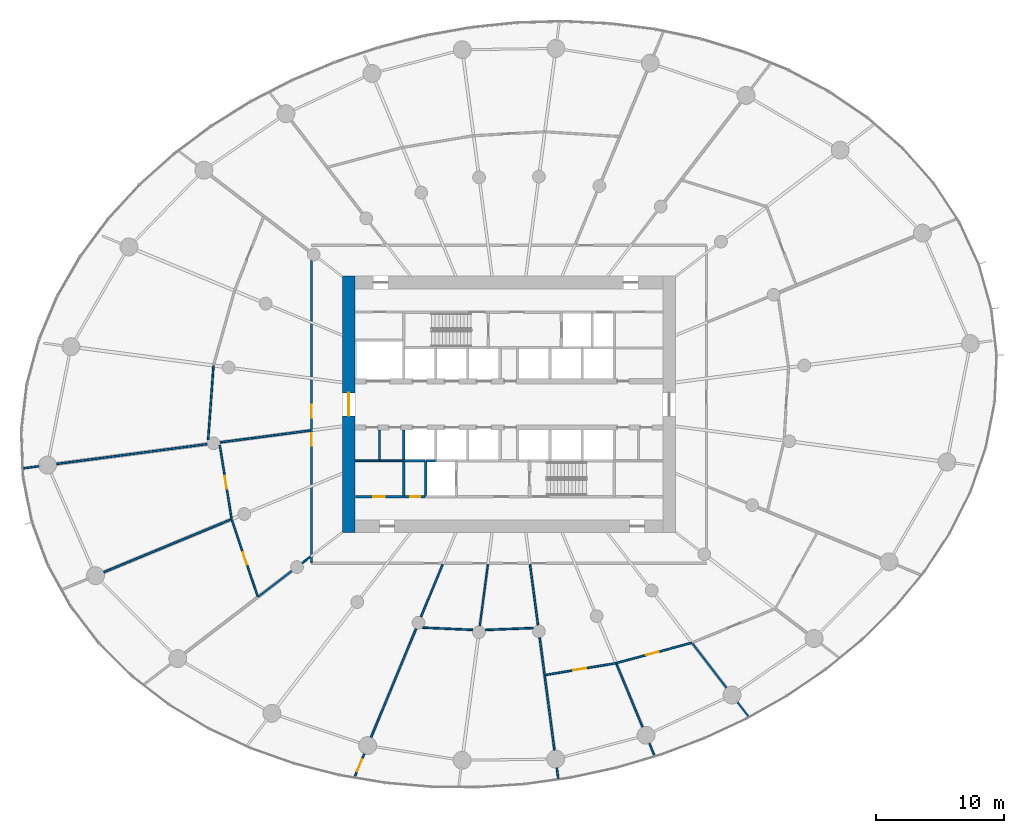
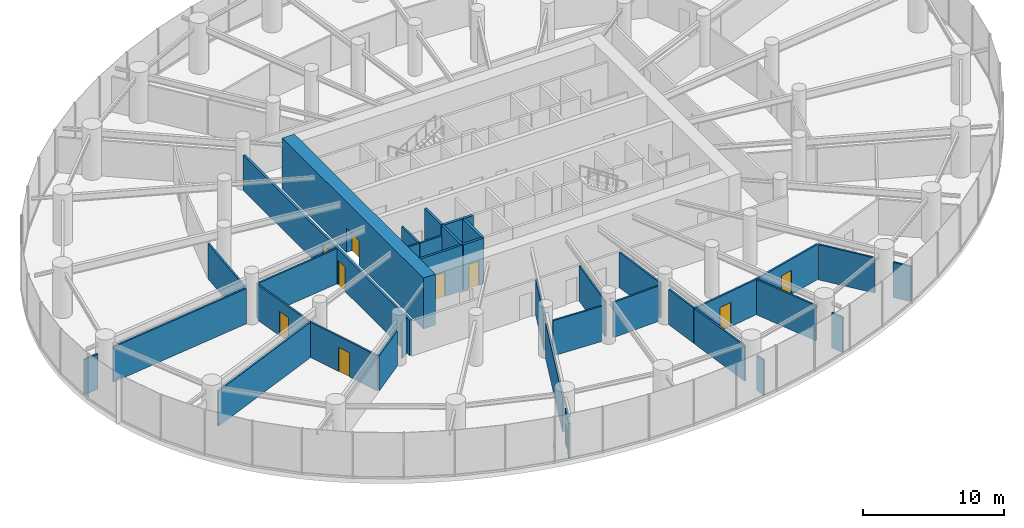
# One storey, part 12 of 19: 37 walls, 10 doors, 10 openings.
"""IFC4 building model written with IfcOpenShell, lengths in metres."""

from ifc_helpers import new_model, si_unit, direction, frame, frame_2d, origin, place, context, subcontext, project, spatial, rectangle, extrude, source, transform, mapped, material, layer, layer_set, type_object, element, fill, save


model = new_model("IFC4")

# Units and contexts
model_context = context("Model", 3, precision=1e-05, world=origin(), true_north=direction((0.0, 1.0)))
body_context = subcontext(model_context, "Body", "Model", "MODEL_VIEW")
ifc_project = project(units=[si_unit("LENGTHUNIT", "METRE"), si_unit("AREAUNIT", "SQUARE_METRE"), si_unit("VOLUMEUNIT", "CUBIC_METRE"), si_unit("PLANEANGLEUNIT", "RADIAN"), si_unit("MASSUNIT", "GRAM", prefix="KILO")], contexts=[model_context])

# Site, building, storey
site_placement = place(None, origin())
site = spatial("IfcSite", under=ifc_project, at=site_placement, CompositionType="ELEMENT")
building_placement = place(site_placement, origin())
building = spatial("IfcBuilding", under=site, at=building_placement, Name="Spindrift Exchange Tower", CompositionType="ELEMENT")
storey_placement = place(building_placement, frame((0.0, 0.0, 57.800048828125)))
storey = spatial("IfcBuildingStorey", under=building, at=storey_placement, Name="L13", CompositionType="ELEMENT", Elevation=57.800048828125)

# Wall, opening, door
ifc_material_1 = material(Name="Concrete 80 MPa", Category="concrete")
ifc_layer_1 = layer(ifc_material_1, 1.0)
ifc_layer_set_1 = layer_set([ifc_layer_1], Name="RC Core Wall 1000 Concrete 80 MPa")
wall_type_1 = type_object("IfcWallType", Name="RC Core Wall 1000 Concrete 80 MPa", PredefinedType="SHEAR", material=ifc_layer_set_1)
wall_1_placement = place(storey_placement, frame((39.5, 58.0, 0.0), z_axis=(0.0, 0.0, 1.0), x_axis=(0.0, -1.0, 0.0)))
wall_1 = element("IfcWall", 1, at=wall_1_placement, inside=storey, type_object=wall_type_1, Name="Core wall W L13", PredefinedType="SHEAR", context=body_context, shape_type="SweptSolid", body=[
    extrude(rectangle(XDim=20.0, YDim=1.0, at=frame_2d((10.0, 0.0))), origin(), (0.0, 0.0, 1.0), 4.39990234375),
])
opening_1_placement = place(wall_1_placement, frame((9.10009765625, 0.0, 0.0)))
opening_1 = element("IfcOpeningElement", 2, at=opening_1_placement, cuts=wall_1, Name="Opening L13-D1", PredefinedType="OPENING", context=body_context, shape_type="SweptSolid", body=[
    extrude(rectangle(XDim=1.800048828125, YDim=2.10009765625, at=frame_2d((0.89990234375, 1.050048828125))), frame((0.0, 0.510009765625, 0.0), z_axis=(0.0, -1.0, 0.0), x_axis=(1.0, 0.0, 0.0)), (0.0, 0.0, 1.0), 1.02001953125),
])
ifc_material_2 = material(Name="Timber-core fire door", Category="wood")
door_type_1 = type_object("IfcDoorType", Name="DR-LOBBY-1800", OperationType="NOTDEFINED", PredefinedType="DOOR", material=ifc_material_2)
shared_shape_1 = source(origin(), body_context, "Body", "SweptSolid", [
    extrude(rectangle(XDim=1.800048828125, YDim=2.10009765625, at=frame_2d((0.89990234375, 1.050048828125))), frame((0.0, 0.02490234375, 0.0), z_axis=(0.0, -1.0, 0.0), x_axis=(1.0, 0.0, 0.0)), (0.0, 0.0, 1.0), 0.050048828125),
])
door_1_placement = place(opening_1_placement, origin())
door_1 = element("IfcDoor", 3, at=door_1_placement, inside=storey, type_object=door_type_1, Name="L13 Lobby door 1", OperationType="SINGLE_SWING_RIGHT", OverallHeight=2.10009765625, OverallWidth=1.800048828125, PredefinedType="DOOR", context=body_context, shape_type="MappedRepresentation", body=[
    mapped(shared_shape_1, transform((0.0, 0.0, 0.0), scale=1.0)),
])
fill(opening_1, door_1)

ifc_material_3 = material(Name="Fire-rated plasterboard partition", Category="gypsum")
ifc_layer_2 = layer(ifc_material_3, 0.179931640625)
ifc_layer_set_2 = layer_set([ifc_layer_2], Name="W-CORR-180")
wall_type_2 = type_object("IfcWallType", Name="W-CORR-180", PredefinedType="PARTITIONING", material=ifc_layer_set_2)
wall_2_placement = place(storey_placement, frame((40.02001953125, 40.800048828125, 0.0), z_axis=(0.0, 0.0, 1.0), x_axis=(1.0, 0.0, 0.0)))
wall_2 = element("IfcWall", 4, at=wall_2_placement, inside=storey, type_object=wall_type_2, Name="L13 Partition wall 61", PredefinedType="PARTITIONING", context=body_context, shape_type="SweptSolid", body=[
    extrude(rectangle(XDim=3.75, YDim=0.179931640625, at=frame_2d((1.875, 0.0))), origin(), (0.0, 0.0, 1.0), 3.949951171875),
])
opening_2_placement = place(wall_2_placement, frame((1.39990234375, 0.0, 0.0)))
opening_2 = element("IfcOpeningElement", 5, at=opening_2_placement, cuts=wall_2, Name="Opening L13-D47", PredefinedType="OPENING", context=body_context, shape_type="SweptSolid", body=[
    extrude(rectangle(XDim=0.89990234375, YDim=2.10009765625, at=frame_2d((0.449951171875, 1.050048828125))), frame((0.0, 0.099853515625, 0.0), z_axis=(0.0, -1.0, 0.0), x_axis=(1.0, 0.0, 0.0)), (0.0, 0.0, 1.0), 0.199951171875),
])
ifc_material_4 = material(Name="Steel access door", Category="steel")
door_type_2 = type_object("IfcDoorType", Name="DR-RISER-900", OperationType="NOTDEFINED", PredefinedType="DOOR", material=ifc_material_4)
shared_shape_2 = source(origin(), body_context, "Body", "SweptSolid", [
    extrude(rectangle(XDim=0.89990234375, YDim=2.10009765625, at=frame_2d((0.449951171875, 1.050048828125))), frame((0.0, 0.02490234375, 0.0), z_axis=(0.0, -1.0, 0.0), x_axis=(1.0, 0.0, 0.0)), (0.0, 0.0, 1.0), 0.050048828125),
])
door_2_placement = place(opening_2_placement, origin())
door_2 = element("IfcDoor", 6, at=door_2_placement, inside=storey, type_object=door_type_2, Name="L13 Riser door 47", OperationType="SINGLE_SWING_RIGHT", OverallHeight=2.10009765625, OverallWidth=0.89990234375, PredefinedType="DOOR", context=body_context, shape_type="MappedRepresentation", body=[
    mapped(shared_shape_2, transform((0.0, 0.0, 0.0), scale=1.0)),
])
fill(opening_2, door_2)

# Walls
ifc_layer_3 = layer(ifc_material_3, 0.139892578125)
ifc_layer_set_3 = layer_set([ifc_layer_3], Name="W-PART-140")
wall_type_3 = type_object("IfcWallType", Name="W-PART-140", PredefinedType="PARTITIONING", material=ifc_layer_set_3)
wall_3_placement = place(storey_placement, frame((28.466064453125, 44.901611328125, 0.0), z_axis=(0.0, 0.0, 1.0), x_axis=(-0.991446586451, -0.130513088287, 0.0)))
element("IfcWall", 7, at=wall_3_placement, inside=storey, type_object=wall_type_3, Name="L13 Partition wall 65", PredefinedType="PARTITIONING", context=body_context, shape_type="SweptSolid", body=[
    extrude(rectangle(XDim=11.85986328125, YDim=0.139892578125, at=frame_2d((5.929931640625, 0.0))), origin(), (0.0, 0.0, 1.0), 3.050048828125),
])
wall_4_placement = place(storey_placement, frame((30.37109375, 39.041015625, 0.0), z_axis=(0.0, 0.0, 1.0), x_axis=(-0.923880877875, -0.382680184353, 0.0)))
element("IfcWall", 8, at=wall_4_placement, inside=storey, type_object=wall_type_3, Name="L13 Partition wall 66", PredefinedType="PARTITIONING", context=body_context, shape_type="SweptSolid", body=[
    extrude(rectangle(XDim=10.7900390625, YDim=0.139892578125, at=frame_2d((5.39501953125, 0.0))), origin(), (0.0, 0.0, 1.0), 3.050048828125),
])
wall_5_placement = place(storey_placement, frame((44.752197265625, 30.502197265625, 0.0), z_axis=(0.0, 0.0, 1.0), x_axis=(-0.382672728165, -0.923883966264, 0.0)))
element("IfcWall", 9, at=wall_5_placement, inside=storey, type_object=wall_type_3, Name="L13 Partition wall 68", PredefinedType="PARTITIONING", context=body_context, shape_type="SweptSolid", body=[
    extrude(rectangle(XDim=9.15966796875, YDim=0.139892578125, at=frame_2d((4.579833984375, 0.0))), origin(), (0.0, 0.0, 1.0), 3.050048828125),
])

# Wall, opening, door
wall_6_placement = place(storey_placement, frame((66.239990234375, 29.396484375, 0.0), z_axis=(0.0, 0.0, 1.0), x_axis=(-0.965712487128, -0.259613929145, 0.0)))
wall_6 = element("IfcWall", 10, at=wall_6_placement, inside=storey, type_object=wall_type_3, Name="L13 Partition wall 78", PredefinedType="PARTITIONING", context=body_context, shape_type="SweptSolid", body=[
    extrude(rectangle(XDim=6.088134765625, YDim=0.139892578125, at=frame_2d((3.0439453125, 0.0))), origin(), (0.0, 0.0, 1.0), 3.050048828125),
])
opening_3_placement = place(wall_6_placement, frame((2.63818359375, 0.0, 0.0)))
opening_3 = element("IfcOpeningElement", 11, at=opening_3_placement, cuts=wall_6, Name="Opening L13-D28", PredefinedType="OPENING", context=body_context, shape_type="SweptSolid", body=[
    extrude(rectangle(XDim=1.0, YDim=2.10009765625, at=frame_2d((0.5, 1.050048828125))), frame((0.0, 0.079833984375, 0.0), z_axis=(0.0, -1.0, 0.0), x_axis=(1.0, 0.0, 0.0)), (0.0, 0.0, 1.0), 0.159912109375),
])
door_type_3 = type_object("IfcDoorType", Name="DR-ROOM-1000", OperationType="NOTDEFINED", PredefinedType="DOOR", material=ifc_material_2)
shared_shape_3 = source(origin(), body_context, "Body", "SweptSolid", [
    extrude(rectangle(XDim=1.0, YDim=2.10009765625, at=frame_2d((0.5, 1.050048828125))), frame((0.0, 0.02490234375, 0.0), z_axis=(0.0, -1.0, 0.0), x_axis=(1.0, 0.0, 0.0)), (0.0, 0.0, 1.0), 0.050048828125),
])
door_3_placement = place(opening_3_placement, origin())
door_3 = element("IfcDoor", 12, at=door_3_placement, inside=storey, type_object=door_type_3, Name="L13 Door 28", OperationType="SINGLE_SWING_LEFT", OverallHeight=2.10009765625, OverallWidth=1.0, PredefinedType="DOOR", context=body_context, shape_type="MappedRepresentation", body=[
    mapped(shared_shape_3, transform((0.0, 0.0, 0.0), scale=1.0)),
])
fill(opening_3, door_3)

# Wall
wall_7_placement = place(storey_placement, frame((54.780029296875, 26.88330078125, 0.0), z_axis=(0.0, 0.0, 1.0), x_axis=(0.130539118961, -0.99144315945, 0.0)))
element("IfcWall", 13, at=wall_7_placement, inside=storey, type_object=wall_type_3, Name="L13 Partition wall 81", PredefinedType="PARTITIONING", context=body_context, shape_type="SweptSolid", body=[
    extrude(rectangle(XDim=5.89697265625, YDim=0.139892578125, at=frame_2d((2.948486328125, 0.0))), origin(), (0.0, 0.0, 1.0), 3.050048828125),
])

# Wall, opening, door
wall_8_placement = place(storey_placement, frame((60.330810546875, 27.81103515625, 0.0), z_axis=(0.0, 0.0, 1.0), x_axis=(-0.986324289368, -0.164816249813, 0.0)))
wall_8 = element("IfcWall", 14, at=wall_8_placement, inside=storey, type_object=wall_type_3, Name="L13 Partition wall 85", PredefinedType="PARTITIONING", context=body_context, shape_type="SweptSolid", body=[
    extrude(rectangle(XDim=5.597900390625, YDim=0.139892578125, at=frame_2d((2.798828125, 0.0))), origin(), (0.0, 0.0, 1.0), 3.050048828125),
])
opening_4_placement = place(wall_8_placement, frame((2.347900390625, 0.0, 0.0)))
opening_4 = element("IfcOpeningElement", 15, at=opening_4_placement, cuts=wall_8, Name="Opening L13-D27", PredefinedType="OPENING", context=body_context, shape_type="SweptSolid", body=[
    extrude(rectangle(XDim=1.0, YDim=2.10009765625, at=frame_2d((0.5, 1.050048828125))), frame((0.0, 0.079833984375, 0.0), z_axis=(0.0, -1.0, 0.0), x_axis=(1.0, 0.0, 0.0)), (0.0, 0.0, 1.0), 0.159912109375),
])
door_4_placement = place(opening_4_placement, origin())
door_4 = element("IfcDoor", 16, at=door_4_placement, inside=storey, type_object=door_type_3, Name="L13 Door 27", OperationType="SINGLE_SWING_RIGHT", OverallHeight=2.10009765625, OverallWidth=1.0, PredefinedType="DOOR", context=body_context, shape_type="MappedRepresentation", body=[
    mapped(shared_shape_3, transform((0.0, 0.0, 0.0), scale=1.0)),
])
fill(opening_4, door_4)

# Walls
wall_9_placement = place(storey_placement, frame((60.387451171875, 27.750732421875, 0.0), z_axis=(0.0, 0.0, 1.0), x_axis=(0.38268597253, -0.923878480337, 0.0)))
element("IfcWall", 17, at=wall_9_placement, inside=storey, type_object=wall_type_3, Name="L13 Partition wall 92", PredefinedType="PARTITIONING", context=body_context, shape_type="SweptSolid", body=[
    extrude(rectangle(XDim=5.312255859375, YDim=0.139892578125, at=frame_2d((2.65625, 0.0))), origin(), (0.0, 0.0, 1.0), 3.050048828125),
])
wall_10_placement = place(storey_placement, frame((53.644287109375, 35.510009765625, 0.0), z_axis=(0.0, 0.0, 1.0), x_axis=(0.130548834981, -0.991441880135, 0.0)))
element("IfcWall", 18, at=wall_10_placement, inside=storey, type_object=wall_type_3, Name="L13 Partition wall 96", PredefinedType="PARTITIONING", context=body_context, shape_type="SweptSolid", body=[
    extrude(rectangle(XDim=4.75390625, YDim=0.139892578125, at=frame_2d((2.376953125, 0.0))), origin(), (0.0, 0.0, 1.0), 3.050048828125),
])
wall_11_placement = place(storey_placement, frame((46.826416015625, 35.510009765625, 0.0), z_axis=(0.0, 0.0, 1.0), x_axis=(-0.382672831764, -0.923883923353, 0.0)))
element("IfcWall", 19, at=wall_11_placement, inside=storey, type_object=wall_type_3, Name="L13 Partition wall 98", PredefinedType="PARTITIONING", context=body_context, shape_type="SweptSolid", body=[
    extrude(rectangle(XDim=4.410400390625, YDim=0.139892578125, at=frame_2d((2.205078125, 0.0))), origin(), (0.0, 0.0, 1.0), 3.050048828125),
])
wall_12_placement = place(storey_placement, frame((66.313232421875, 29.3466796875, 0.0), z_axis=(0.0, 0.0, 1.0), x_axis=(0.608768802399, -0.793347682435, 0.0)))
element("IfcWall", 20, at=wall_12_placement, inside=storey, type_object=wall_type_3, Name="L13 Partition wall 101", PredefinedType="PARTITIONING", context=body_context, shape_type="SweptSolid", body=[
    extrude(rectangle(XDim=4.36083984375, YDim=0.139892578125, at=frame_2d((2.180419921875, 0.0))), origin(), (0.0, 0.0, 1.0), 3.050048828125),
])
wall_13_placement = place(storey_placement, frame((45.274658203125, 30.586181640625, 0.0), z_axis=(0.0, 0.0, 1.0), x_axis=(0.999004449327, -0.044610651473, 0.0)))
element("IfcWall", 21, at=wall_13_placement, inside=storey, type_object=wall_type_3, Name="L13 Partition wall 104", PredefinedType="PARTITIONING", context=body_context, shape_type="SweptSolid", body=[
    extrude(rectangle(XDim=3.91845703125, YDim=0.139892578125, at=frame_2d((1.959228515625, 0.0))), origin(), (0.0, 0.0, 1.0), 3.050048828125),
])
wall_14_placement = place(storey_placement, frame((50.13427734375, 30.4072265625, 0.0), z_axis=(0.0, 0.0, 1.0), x_axis=(0.999223066678, 0.039411457966, 0.0)))
element("IfcWall", 22, at=wall_14_placement, inside=storey, type_object=wall_type_3, Name="L13 Partition wall 106", PredefinedType="PARTITIONING", context=body_context, shape_type="SweptSolid", body=[
    extrude(rectangle(XDim=3.766357421875, YDim=0.139892578125, at=frame_2d((1.88330078125, 0.0))), origin(), (0.0, 0.0, 1.0), 3.050048828125),
])
wall_15_placement = place(storey_placement, frame((54.396484375, 29.796630859375, 0.0), z_axis=(0.0, 0.0, 1.0), x_axis=(0.130530511821, -0.991444292678, 0.0)))
element("IfcWall", 23, at=wall_15_placement, inside=storey, type_object=wall_type_3, Name="L13 Partition wall 112", PredefinedType="PARTITIONING", context=body_context, shape_type="SweptSolid", body=[
    extrude(rectangle(XDim=2.908447265625, YDim=0.139892578125, at=frame_2d((1.4541015625, 0.0))), origin(), (0.0, 0.0, 1.0), 3.050048828125),
])
wall_16_placement = place(storey_placement, frame((41.89990234375, 43.60009765625, 0.0), z_axis=(0.0, 0.0, 1.0), x_axis=(0.0, 1.0, 0.0)))
element("IfcWall", 24, at=wall_16_placement, inside=storey, type_object=wall_type_3, Name="L13 Partition wall 115", PredefinedType="PARTITIONING", context=body_context, shape_type="SweptSolid", body=[
    extrude(rectangle(XDim=2.389892578125, YDim=0.139892578125, at=frame_2d((1.19482421875, 0.0))), origin(), (0.0, 0.0, 1.0), 3.050048828125),
])

# Wall, opening, door
wall_17_placement = place(storey_placement, frame((40.70751953125, 20.7373046875, 0.0), z_axis=(0.0, 0.0, 1.0), x_axis=(-0.382669186211, -0.923885433333, 0.0)))
wall_17 = element("IfcWall", 25, at=wall_17_placement, inside=storey, type_object=wall_type_3, Name="L13 Partition wall 122", PredefinedType="PARTITIONING", context=body_context, shape_type="SweptSolid", body=[
    extrude(rectangle(XDim=1.9248046875, YDim=0.139892578125, at=frame_2d((0.96240234375, 0.0))), origin(), (0.0, 0.0, 1.0), 3.050048828125),
])
opening_5_placement = place(wall_17_placement, frame((0.449951171875, 0.0, 0.0)))
opening_5 = element("IfcOpeningElement", 26, at=opening_5_placement, cuts=wall_17, Name="Opening L13-D31", PredefinedType="OPENING", context=body_context, shape_type="SweptSolid", body=[
    extrude(rectangle(XDim=1.0, YDim=2.10009765625, at=frame_2d((0.5, 1.050048828125))), frame((0.0, 0.079833984375, 0.0), z_axis=(0.0, -1.0, 0.0), x_axis=(1.0, 0.0, 0.0)), (0.0, 0.0, 1.0), 0.159912109375),
])
door_5_placement = place(opening_5_placement, origin())
door_5 = element("IfcDoor", 27, at=door_5_placement, inside=storey, type_object=door_type_3, Name="L13 Door 31", OperationType="SINGLE_SWING_RIGHT", OverallHeight=2.10009765625, OverallWidth=1.0, PredefinedType="DOOR", context=body_context, shape_type="MappedRepresentation", body=[
    mapped(shared_shape_3, transform((0.0, 0.0, 0.0), scale=1.0)),
])
fill(opening_5, door_5)

# Walls
wall_18_placement = place(storey_placement, frame((43.77001953125, 43.60009765625, 0.0), z_axis=(0.0, 0.0, 1.0), x_axis=(-1.0, 0.0, 0.0)))
element("IfcWall", 28, at=wall_18_placement, inside=storey, type_object=wall_type_3, Name="L13 Partition wall 124", PredefinedType="PARTITIONING", context=body_context, shape_type="SweptSolid", body=[
    extrude(rectangle(XDim=1.840087890625, YDim=0.139892578125, at=frame_2d((0.919921875, 0.0))), origin(), (0.0, 0.0, 1.0), 3.050048828125),
])
wall_19_placement = place(storey_placement, frame((41.8701171875, 43.60009765625, 0.0), z_axis=(0.0, 0.0, 1.0), x_axis=(-1.0, 0.0, 0.0)))
element("IfcWall", 29, at=wall_19_placement, inside=storey, type_object=wall_type_3, Name="L13 Partition wall 126", PredefinedType="PARTITIONING", context=body_context, shape_type="SweptSolid", body=[
    extrude(rectangle(XDim=1.85009765625, YDim=0.139892578125, at=frame_2d((0.925048828125, 0.0))), origin(), (0.0, 0.0, 1.0), 3.050048828125),
])
wall_20_placement = place(storey_placement, frame((69.8251953125, 24.76953125, 0.0), z_axis=(0.0, 0.0, 1.0), x_axis=(0.608933775349, -0.793221064546, 0.0)))
element("IfcWall", 30, at=wall_20_placement, inside=storey, type_object=wall_type_3, Name="L13 Partition wall 132", PredefinedType="PARTITIONING", context=body_context, shape_type="SweptSolid", body=[
    extrude(rectangle(XDim=1.3671875, YDim=0.139892578125, at=frame_2d((0.68359375, 0.0))), origin(), (0.0, 0.0, 1.0), 3.050048828125),
])
wall_21_placement = place(storey_placement, frame((15.311279296875, 43.169921875, 0.0), z_axis=(0.0, 0.0, 1.0), x_axis=(-0.991431026748, -0.130631233635, 0.0)))
element("IfcWall", 31, at=wall_21_placement, inside=storey, type_object=wall_type_3, Name="L13 Partition wall 133", PredefinedType="PARTITIONING", context=body_context, shape_type="SweptSolid", body=[
    extrude(rectangle(XDim=1.17919921875, YDim=0.139892578125, at=frame_2d((0.589599609375, 0.0))), origin(), (0.0, 0.0, 1.0), 3.050048828125),
])
wall_22_placement = place(storey_placement, frame((62.960205078125, 21.5400390625, 0.0), z_axis=(0.0, 0.0, 1.0), x_axis=(0.382570916395, -0.923926130126, 0.0)))
element("IfcWall", 32, at=wall_22_placement, inside=storey, type_object=wall_type_3, Name="L13 Partition wall 134", PredefinedType="PARTITIONING", context=body_context, shape_type="SweptSolid", body=[
    extrude(rectangle(XDim=0.984130859375, YDim=0.139892578125, at=frame_2d((0.4921875, 0.0))), origin(), (0.0, 0.0, 1.0), 3.050048828125),
])
wall_23_placement = place(storey_placement, frame((55.733642578125, 19.640380859375, 0.0), z_axis=(0.0, 0.0, 1.0), x_axis=(0.130524691554, -0.991445058939, 0.0)))
element("IfcWall", 33, at=wall_23_placement, inside=storey, type_object=wall_type_3, Name="L13 Partition wall 136", PredefinedType="PARTITIONING", context=body_context, shape_type="SweptSolid", body=[
    extrude(rectangle(XDim=0.809814453125, YDim=0.139892578125, at=frame_2d((0.40478515625, 0.0))), origin(), (0.0, 0.0, 1.0), 3.050048828125),
])
ifc_layer_4 = layer(ifc_material_3, 0.139892578125)
ifc_layer_set_4 = layer_set([ifc_layer_4], Name="W-PLANT-140")
wall_type_4 = type_object("IfcWallType", Name="W-PLANT-140", PredefinedType="PARTITIONING", material=ifc_layer_set_4)
wall_24_placement = place(storey_placement, frame((36.510009765625, 45.960693359375, 0.0), z_axis=(0.0, 0.0, 1.0), x_axis=(-0.99144622305, -0.130515848849, 0.0)))
element("IfcWall", 34, at=wall_24_placement, inside=storey, type_object=wall_type_4, Name="L13 Partition wall 70", PredefinedType="PARTITIONING", context=body_context, shape_type="SweptSolid", body=[
    extrude(rectangle(XDim=7.1044921875, YDim=0.139892578125, at=frame_2d((3.55224609375, 0.0))), origin(), (0.0, 0.0, 1.0), 3.050048828125),
])

# Wall, opening, door
wall_25_placement = place(storey_placement, frame((32.41162109375, 33.0048828125, 0.0), z_axis=(0.0, 0.0, 1.0), x_axis=(-0.32021163775, 0.947346033427, 0.0)))
wall_25 = element("IfcWall", 35, at=wall_25_placement, inside=storey, type_object=wall_type_4, Name="L13 Partition wall 76", PredefinedType="PARTITIONING", context=body_context, shape_type="SweptSolid", body=[
    extrude(rectangle(XDim=6.301513671875, YDim=0.139892578125, at=frame_2d((3.15087890625, 0.0))), origin(), (0.0, 0.0, 1.0), 3.050048828125),
])
opening_6_placement = place(wall_25_placement, frame((2.6513671875, 0.0, 0.0)))
opening_6 = element("IfcOpeningElement", 36, at=opening_6_placement, cuts=wall_25, Name="Opening L13-D44", PredefinedType="OPENING", context=body_context, shape_type="SweptSolid", body=[
    extrude(rectangle(XDim=1.0, YDim=2.10009765625, at=frame_2d((0.5, 1.050048828125))), frame((0.0, 0.079833984375, 0.0), z_axis=(0.0, -1.0, 0.0), x_axis=(1.0, 0.0, 0.0)), (0.0, 0.0, 1.0), 0.159912109375),
])
door_6_placement = place(opening_6_placement, origin())
door_6 = element("IfcDoor", 37, at=door_6_placement, inside=storey, type_object=door_type_3, Name="L13 Door 44", OperationType="SINGLE_SWING_LEFT", OverallHeight=2.10009765625, OverallWidth=1.0, PredefinedType="DOOR", context=body_context, shape_type="MappedRepresentation", body=[
    mapped(shared_shape_3, transform((0.0, 0.0, 0.0), scale=1.0)),
])
fill(opening_6, door_6)

wall_26_placement = place(storey_placement, frame((30.366455078125, 39.07080078125, 0.0), z_axis=(0.0, 0.0, 1.0), x_axis=(-0.158005232047, 0.987438274854, 0.0)))
wall_26 = element("IfcWall", 38, at=wall_26_placement, inside=storey, type_object=wall_type_4, Name="L13 Partition wall 83", PredefinedType="PARTITIONING", context=body_context, shape_type="SweptSolid", body=[
    extrude(rectangle(XDim=5.8173828125, YDim=0.139892578125, at=frame_2d((2.90869140625, 0.0))), origin(), (0.0, 0.0, 1.0), 3.050048828125),
])
opening_7_placement = place(wall_26_placement, frame((2.36767578125, 0.0, 0.0)))
opening_7 = element("IfcOpeningElement", 39, at=opening_7_placement, cuts=wall_26, Name="Opening L13-D43", PredefinedType="OPENING", context=body_context, shape_type="SweptSolid", body=[
    extrude(rectangle(XDim=1.0, YDim=2.10009765625, at=frame_2d((0.5, 1.050048828125))), frame((0.0, 0.079833984375, 0.0), z_axis=(0.0, -1.0, 0.0), x_axis=(1.0, 0.0, 0.0)), (0.0, 0.0, 1.0), 0.159912109375),
])
door_7_placement = place(opening_7_placement, origin())
door_7 = element("IfcDoor", 40, at=door_7_placement, inside=storey, type_object=door_type_3, Name="L13 Door 43", OperationType="SINGLE_SWING_RIGHT", OverallHeight=2.10009765625, OverallWidth=1.0, PredefinedType="DOOR", context=body_context, shape_type="MappedRepresentation", body=[
    mapped(shared_shape_3, transform((0.0, 0.0, 0.0), scale=1.0)),
])
fill(opening_7, door_7)

# Walls
wall_27_placement = place(storey_placement, frame((28.9541015625, 51.00390625, 0.0), z_axis=(0.0, 0.0, 1.0), x_axis=(-0.071808050835, -0.997418469768, 0.0)))
element("IfcWall", 41, at=wall_27_placement, inside=storey, type_object=wall_type_4, Name="L13 Partition wall 84", PredefinedType="PARTITIONING", context=body_context, shape_type="SweptSolid", body=[
    extrude(rectangle(XDim=5.783203125, YDim=0.139892578125, at=frame_2d((2.8916015625, 0.0))), origin(), (0.0, 0.0, 1.0), 3.050048828125),
])
wall_28_placement = place(storey_placement, frame((35.06494140625, 35.00537109375, 0.0), z_axis=(0.0, 0.0, 1.0), x_axis=(-0.793324272547, -0.608799308958, 0.0)))
element("IfcWall", 42, at=wall_28_placement, inside=storey, type_object=wall_type_4, Name="L13 Partition wall 109", PredefinedType="PARTITIONING", context=body_context, shape_type="SweptSolid", body=[
    extrude(rectangle(XDim=3.302490234375, YDim=0.139892578125, at=frame_2d((1.6513671875, 0.0))), origin(), (0.0, 0.0, 1.0), 3.050048828125),
])
wall_29_placement = place(storey_placement, frame((36.510009765625, 36.114013671875, 0.0), z_axis=(0.0, 0.0, 1.0), x_axis=(-0.793316076519, -0.608809989025, 0.0)))
element("IfcWall", 43, at=wall_29_placement, inside=storey, type_object=wall_type_4, Name="L13 Partition wall 135", PredefinedType="PARTITIONING", context=body_context, shape_type="SweptSolid", body=[
    extrude(rectangle(XDim=0.8125, YDim=0.139892578125, at=frame_2d((0.40625, 0.0))), origin(), (0.0, 0.0, 1.0), 3.050048828125),
])

# Wall, openings, doors
ifc_layer_5 = layer(ifc_material_3, 0.179931640625)
ifc_layer_set_5 = layer_set([ifc_layer_5], Name="W-PLANT-180")
wall_type_5 = type_object("IfcWallType", Name="W-PLANT-180", PredefinedType="PARTITIONING", material=ifc_layer_set_5)
wall_30_placement = place(storey_placement, frame((36.60009765625, 35.6298828125, 0.0), z_axis=(0.0, 0.0, 1.0), x_axis=(0.0, 1.0, 0.0)))
wall_30 = element("IfcWall", 44, at=wall_30_placement, inside=storey, type_object=wall_type_5, Name="L13 Partition wall 60", PredefinedType="PARTITIONING", context=body_context, shape_type="SweptSolid", body=[
    extrude(rectangle(XDim=23.58251953125, YDim=0.179931640625, at=frame_2d((11.791259765625, 0.0))), origin(), (0.0, 0.0, 1.0), 3.050048828125),
])
opening_8_placement = place(wall_30_placement, frame((11.33251953125, 0.0, 0.0)))
opening_8 = element("IfcOpeningElement", 45, at=opening_8_placement, cuts=wall_30, Name="Opening L13-D40", PredefinedType="OPENING", context=body_context, shape_type="SweptSolid", body=[
    extrude(rectangle(XDim=1.0, YDim=2.10009765625, at=frame_2d((0.5, 1.050048828125))), frame((0.0, 0.099853515625, 0.0), z_axis=(0.0, -1.0, 0.0), x_axis=(1.0, 0.0, 0.0)), (0.0, 0.0, 1.0), 0.199951171875),
])
opening_9_placement = place(wall_30_placement, frame((9.132568359375, 0.0, 0.0)))
opening_9 = element("IfcOpeningElement", 46, at=opening_9_placement, cuts=wall_30, Name="Opening L13-D42", PredefinedType="OPENING", context=body_context, shape_type="SweptSolid", body=[
    extrude(rectangle(XDim=1.0, YDim=2.10009765625, at=frame_2d((0.5, 1.050048828125))), frame((0.0, 0.099853515625, 0.0), z_axis=(0.0, -1.0, 0.0), x_axis=(1.0, 0.0, 0.0)), (0.0, 0.0, 1.0), 0.199951171875),
])
door_8_placement = place(opening_8_placement, origin())
door_8 = element("IfcDoor", 47, at=door_8_placement, inside=storey, type_object=door_type_3, Name="L13 Door 40", OperationType="SINGLE_SWING_LEFT", OverallHeight=2.10009765625, OverallWidth=1.0, PredefinedType="DOOR", context=body_context, shape_type="MappedRepresentation", body=[
    mapped(shared_shape_3, transform((0.0, 0.0, 0.0), scale=1.0)),
])
fill(opening_8, door_8)
door_9_placement = place(opening_9_placement, origin())
door_9 = element("IfcDoor", 48, at=door_9_placement, inside=storey, type_object=door_type_3, Name="L13 Door 42", OperationType="SINGLE_SWING_LEFT", OverallHeight=2.10009765625, OverallWidth=1.0, PredefinedType="DOOR", context=body_context, shape_type="MappedRepresentation", body=[
    mapped(shared_shape_3, transform((0.0, 0.0, 0.0), scale=1.0)),
])
fill(opening_9, door_9)

# Walls
ifc_material_5 = material(Name="Concrete 40 MPa", Category="concrete")
ifc_layer_6 = layer(ifc_material_5, 0.199951171875)
ifc_layer_set_6 = layer_set([ifc_layer_6], Name="W-SHAFT-200")
wall_type_6 = type_object("IfcWallType", Name="W-SHAFT-200", PredefinedType="SOLIDWALL", material=ifc_layer_set_6)
for number, where, z_axis, x_axis, name in (
    (49, (43.800048828125, 43.60009765625, 0.0), (0.0, 0.0, 1.0), (0.0, -1.0, 0.0), "L13 Shaft wall 6"),
    (50, (45.5, 43.60009765625, 0.0), (0.0, 0.0, 1.0), (0.0, -1.0, 0.0), "L13 Shaft wall 7"),
):
    element("IfcWall", number, at=place(storey_placement, frame(where, z_axis=z_axis, x_axis=x_axis)), inside=storey, type_object=wall_type_6, Name=name, PredefinedType="SOLIDWALL", context=body_context, shape_type="SweptSolid", body=[
        extrude(rectangle(XDim=2.800048828125, YDim=0.199951171875, at=frame_2d((1.39990234375, 0.0))), origin(), (0.0, 0.0, 1.0), 3.949951171875),
    ])
wall_31_placement = place(storey_placement, frame((43.800048828125, 45.989990234375, 0.0), z_axis=(0.0, 0.0, 1.0), x_axis=(0.0, -1.0, 0.0)))
element("IfcWall", 51, at=wall_31_placement, inside=storey, type_object=wall_type_6, Name="L13 Shaft wall 23", PredefinedType="SOLIDWALL", context=body_context, shape_type="SweptSolid", body=[
    extrude(rectangle(XDim=2.360107421875, YDim=0.199951171875, at=frame_2d((1.18017578125, 0.0))), origin(), (0.0, 0.0, 1.0), 3.949951171875),
])
wall_32_placement = place(storey_placement, frame((43.830078125, 43.60009765625, 0.0), z_axis=(0.0, 0.0, 1.0), x_axis=(1.0, 0.0, 0.0)))
element("IfcWall", 52, at=wall_32_placement, inside=storey, type_object=wall_type_6, Name="L13 Shaft wall 40", PredefinedType="SOLIDWALL", context=body_context, shape_type="SweptSolid", body=[
    extrude(rectangle(XDim=1.639892578125, YDim=0.199951171875, at=frame_2d((0.81982421875, 0.0))), origin(), (0.0, 0.0, 1.0), 3.949951171875),
])

# Wall, opening, door
wall_33_placement = place(storey_placement, frame((43.830078125, 40.800048828125, 0.0), z_axis=(0.0, 0.0, 1.0), x_axis=(1.0, 0.0, 0.0)))
wall_33 = element("IfcWall", 53, at=wall_33_placement, inside=storey, type_object=wall_type_6, Name="L13 Shaft wall 41", PredefinedType="SOLIDWALL", context=body_context, shape_type="SweptSolid", body=[
    extrude(rectangle(XDim=1.639892578125, YDim=0.199951171875, at=frame_2d((0.81982421875, 0.0))), origin(), (0.0, 0.0, 1.0), 3.949951171875),
])
opening_10_placement = place(wall_33_placement, frame((0.469970703125, 0.0, 0.0)))
opening_10 = element("IfcOpeningElement", 54, at=opening_10_placement, cuts=wall_33, Name="Opening L13-D19", PredefinedType="OPENING", context=body_context, shape_type="SweptSolid", body=[
    extrude(rectangle(XDim=0.800048828125, YDim=2.10009765625, at=frame_2d((0.39990234375, 1.050048828125))), frame((0.0, 0.10986328125, 0.0), z_axis=(0.0, -1.0, 0.0), x_axis=(1.0, 0.0, 0.0)), (0.0, 0.0, 1.0), 0.219970703125),
])
door_type_4 = type_object("IfcDoorType", Name="DR-RISER-800", OperationType="NOTDEFINED", PredefinedType="DOOR", material=ifc_material_4)
shared_shape_4 = source(origin(), body_context, "Body", "SweptSolid", [
    extrude(rectangle(XDim=0.800048828125, YDim=2.10009765625, at=frame_2d((0.39990234375, 1.050048828125))), frame((0.0, 0.02490234375, 0.0), z_axis=(0.0, -1.0, 0.0), x_axis=(1.0, 0.0, 0.0)), (0.0, 0.0, 1.0), 0.050048828125),
])
door_10_placement = place(opening_10_placement, origin())
door_10 = element("IfcDoor", 55, at=door_10_placement, inside=storey, type_object=door_type_4, Name="L13 Riser door 19", OperationType="SINGLE_SWING_RIGHT", OverallHeight=2.10009765625, OverallWidth=0.800048828125, PredefinedType="DOOR", context=body_context, shape_type="MappedRepresentation", body=[
    mapped(shared_shape_4, transform((0.0, 0.0, 0.0), scale=1.0)),
])
fill(opening_10, door_10)

# Walls
wall_34_placement = place(storey_placement, frame((45.530029296875, 43.60009765625, 0.0), z_axis=(0.0, 0.0, 1.0), x_axis=(1.0, 0.0, 0.0)))
element("IfcWall", 56, at=wall_34_placement, inside=storey, type_object=wall_type_6, Name="L13 Shaft wall 54", PredefinedType="SOLIDWALL", context=body_context, shape_type="SweptSolid", body=[
    extrude(rectangle(XDim=0.739990234375, YDim=0.199951171875, at=frame_2d((0.3701171875, 0.0))), origin(), (0.0, 0.0, 1.0), 3.949951171875),
])
ifc_layer_7 = layer(ifc_material_3, 0.1201171875)
ifc_layer_set_7 = layer_set([ifc_layer_7], Name="W-WET-120")
wall_type_7 = type_object("IfcWallType", Name="W-WET-120", PredefinedType="PARTITIONING", material=ifc_layer_set_7)
wall_35_placement = place(storey_placement, frame((50.355712890625, 35.510009765625, 0.0), z_axis=(0.0, 0.0, 1.0), x_axis=(-0.130523979823, -0.991445152639, 0.0)))
element("IfcWall", 57, at=wall_35_placement, inside=storey, type_object=wall_type_7, Name="L13 Partition wall 138", PredefinedType="PARTITIONING", context=body_context, shape_type="SweptSolid", body=[
    extrude(rectangle(XDim=4.818359375, YDim=0.1201171875, at=frame_2d((2.4091796875, 0.0))), origin(), (0.0, 0.0, 1.0), 3.050048828125),
])

save(model, "model.ifc")
